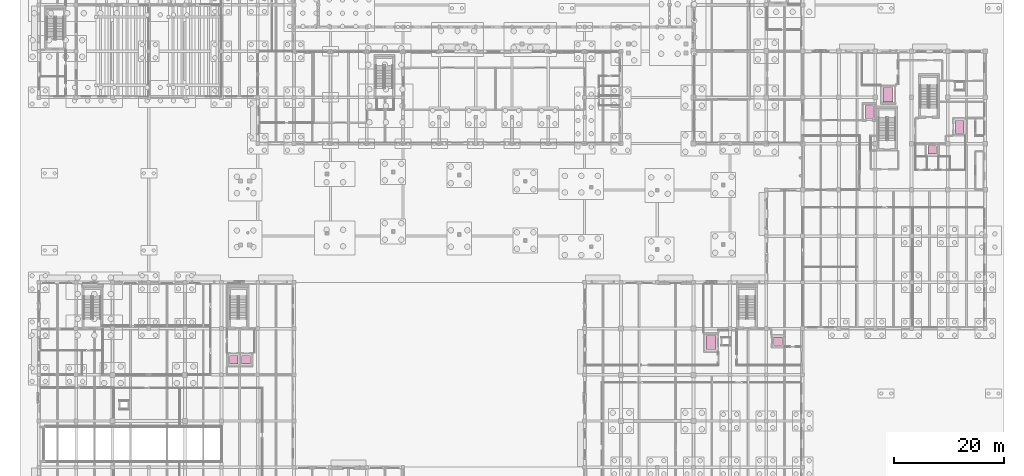
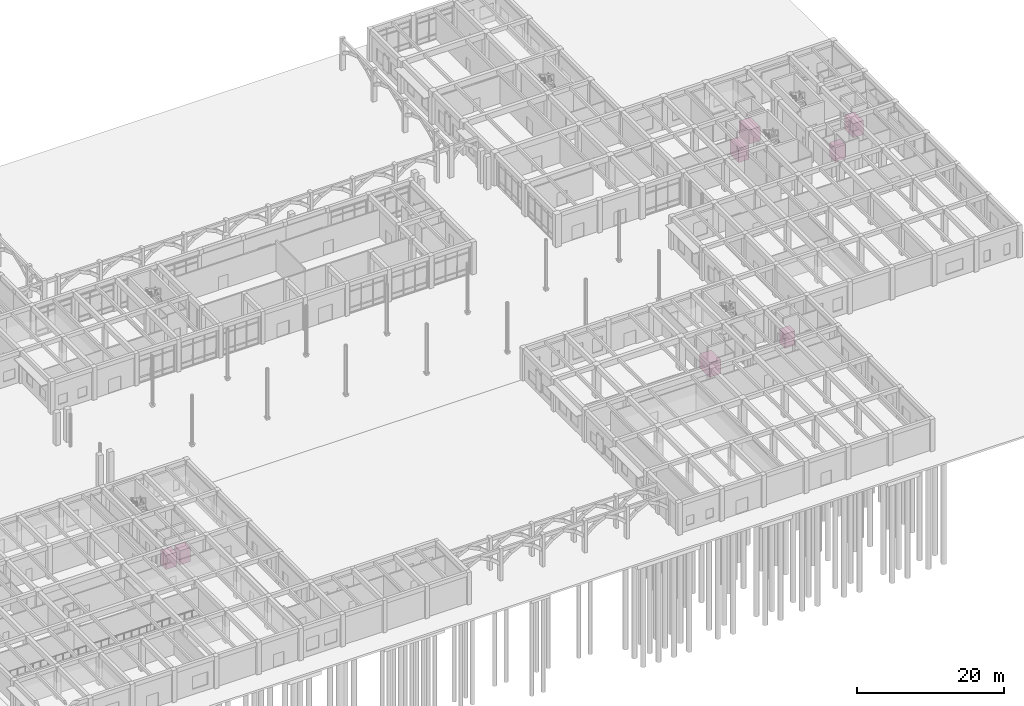
# One storey, part 82 of 82: 8 transport elements.
"""IFC4 building model written with IfcOpenShell, lengths in metres."""

import ifcopenshell
import ifcopenshell.guid

model = None  # the IFC model being written
_history = None  # IfcOwnerHistory: only IFC2X3 demands one
_inside = {}  # id of a spatial element -> (the spatial element, [elements in it])
_under = {}  # id of a project, library or spatial element -> (it, [spatial elements below it])
_declared = {}  # id of a project -> (the project, [libraries it declares])
_typed = {}  # id of a type object -> (the type object, [elements of that type])
_made_of = {}  # id of a material, layer set ... -> (it, [elements and type objects made of it])


def new_model(schema):
    """Start an empty IFC model of exactly this schema.

    Asked for "IFC4X3", IfcOpenShell would pick the latest addendum, in which some entities
    have other attributes; the version numbers below select the first issue.
    IFC2X3 requires an IfcOwnerHistory on every rooted entity: one is made here for all.
    """
    global model, _history
    if schema == "IFC4X3":
        model = ifcopenshell.file(schema_version=(4, 3, 0, 0))
    else:
        model = ifcopenshell.file(schema=schema)
    _inside.clear()
    _under.clear()
    _declared.clear()
    _typed.clear()
    _made_of.clear()
    _history = None
    if model.schema == "IFC2X3":
        org = make("IfcOrganization", Name="unknown")
        user = make(
            "IfcPersonAndOrganization",
            ThePerson=make("IfcPerson", FamilyName="unknown"),
            TheOrganization=org,
        )
        app = make(
            "IfcApplication",
            ApplicationDeveloper=org,
            Version="unknown",
            ApplicationFullName="unknown",
            ApplicationIdentifier="unknown",
        )
        _history = make(
            "IfcOwnerHistory",
            OwningUser=user,
            OwningApplication=app,
            ChangeAction="ADDED",
            CreationDate=0,
        )
    return model


def make(cls, **values):
    """One entity of the class cls with the attributes given. An attribute that is None is left unset."""
    return model.create_entity(
        cls, **{name: value for name, value in values.items() if value is not None}
    )


def rooted(cls, **values):
    """An entity with a GlobalId (a new one), such as an element, a storey or a relation."""
    return make(cls, GlobalId=ifcopenshell.guid.new(), OwnerHistory=_history, **values)


def si_unit(unit_type, name, prefix=None):
    """IfcSIUnit, for example si_unit("LENGTHUNIT", "METRE", prefix="MILLI")."""
    return make("IfcSIUnit", UnitType=unit_type, Prefix=prefix, Name=name)


def assignment(units):
    """IfcUnitAssignment: the units of a project."""
    return None if units is None else make("IfcUnitAssignment", Units=units)


def point(xyz):
    """IfcCartesianPoint."""
    return None if xyz is None else make("IfcCartesianPoint", Coordinates=xyz)


def direction(xyz):
    """IfcDirection."""
    return None if xyz is None else make("IfcDirection", DirectionRatios=xyz)


def frame(location, z_axis=None, x_axis=None):
    """IfcAxis2Placement3D, a coordinate frame: its origin and axes. An axis left out is left unset."""
    return make(
        "IfcAxis2Placement3D",
        Location=point(location),
        Axis=direction(z_axis),
        RefDirection=direction(x_axis),
    )


def frame_2d(location, x_axis=None):
    """IfcAxis2Placement2D, a coordinate frame in the plane: its origin and x axis."""
    return make(
        "IfcAxis2Placement2D", Location=point(location), RefDirection=direction(x_axis)
    )


def origin():
    """The frame at (0, 0, 0) with its axes left unset."""
    return frame((0.0, 0.0, 0.0))


def origin_2d():
    """The frame at (0, 0) in the plane with its x axis left unset."""
    return frame_2d((0.0, 0.0))


def place(relative_to, where):
    """IfcLocalPlacement: puts the frame where relative to a parent placement (None: the world)."""
    return make(
        "IfcLocalPlacement", PlacementRelTo=relative_to, RelativePlacement=where
    )


def context(
    kind, dimensions, precision=None, world=None, true_north=None, identifier=None
):
    """IfcGeometricRepresentationContext, for example the 3D "Model" context."""
    return make(
        "IfcGeometricRepresentationContext",
        ContextIdentifier=identifier,
        ContextType=kind,
        CoordinateSpaceDimension=dimensions,
        Precision=precision,
        WorldCoordinateSystem=world,
        TrueNorth=true_north,
    )


def subcontext(parent, identifier, kind, view, scale=None):
    """IfcGeometricRepresentationSubContext, for example "Body" below "Model"."""
    return make(
        "IfcGeometricRepresentationSubContext",
        ContextIdentifier=identifier,
        ContextType=kind,
        ParentContext=parent,
        TargetScale=scale,
        TargetView=view,
    )


def project(units=None, contexts=None):
    """IfcProject with its units and contexts."""
    return rooted(
        "IfcProject",
        Name="project",
        RepresentationContexts=contexts,
        UnitsInContext=assignment(units),
    )


def spatial(cls, under=None, at=None, **own):
    """A site, building, storey or space (cls), placed at a placement, below another one or the project."""
    s = rooted(cls, ObjectPlacement=at, **own)
    if under is not None:
        _under.setdefault(under.id(), (under, []))[1].append(s)
    return s


def profile(cls, at=None, kind="AREA", **sizes):
    """A parametric profile (cls). Its sizes go by their IFC names, for example OverallWidth=200.0."""
    return make(cls, ProfileType=kind, Position=at, **sizes)


def rectangle(**sizes):
    """IfcRectangleProfileDef."""
    return profile("IfcRectangleProfileDef", **sizes)


def extrude(swept, where, along, depth):
    """IfcExtrudedAreaSolid: the profile swept, set in the frame where, extruded along a direction by depth."""
    return make(
        "IfcExtrudedAreaSolid",
        SweptArea=swept,
        Position=where,
        ExtrudedDirection=direction(along),
        Depth=depth,
    )


def shape(context_of_items, identifier, shape_type, items):
    """IfcShapeRepresentation: the items that make up one representation, for example the "Body"."""
    return make(
        "IfcShapeRepresentation",
        ContextOfItems=context_of_items,
        RepresentationIdentifier=identifier,
        RepresentationType=shape_type,
        Items=items,
    )


def material(Name=None, Category=None):
    """IfcMaterial."""
    return make("IfcMaterial", Name=Name, Category=Category)


def made_of(thing, what):
    """Note that an element or type object is made of a material, layer set ...; save() writes the relation."""
    if what is not None:
        _made_of.setdefault(what.id(), (what, []))[1].append(thing)
    return thing


def type_object(cls, material=None, **own):
    """A type object (cls), such as IfcWallType, which elements share."""
    return made_of(rooted(cls, **own), material)


def element(
    cls,
    number,
    at=None,
    inside=None,
    cuts=None,
    type_object=None,
    material=None,
    context=None,
    identifier="Body",
    shape_type=None,
    held_by="IfcProductDefinitionShape",
    body=None,
    shapes=None,
    **own,
):
    """One element of the class cls, such as IfcWall. Its Tag is "e" and its number.

    at: its placement. inside: the storey or other place that contains it. cuts: it is an
    opening in that element (IfcRelVoidsElement). A single representation is given by context,
    identifier, shape_type and body (its items); several are given by shapes. held_by: the class
    of the entity that holds the representations. save() writes the other relations.
    """
    e = rooted(cls, Tag="e%d" % number, ObjectPlacement=at, **own)
    if body is not None:
        shapes = [shape(context, identifier, shape_type, body)]
    if shapes is not None:
        e.Representation = make(held_by, Representations=shapes)
    if inside is not None:
        _inside.setdefault(inside.id(), (inside, []))[1].append(e)
    if cuts is not None:
        rooted(
            "IfcRelVoidsElement", RelatingBuildingElement=cuts, RelatedOpeningElement=e
        )
    if type_object is not None:
        _typed.setdefault(type_object.id(), (type_object, []))[1].append(e)
    return made_of(e, material)


def aggregate(whole, parts):
    """IfcRelAggregates: a whole, such as a stair, and the parts it consists of."""
    return rooted("IfcRelAggregates", RelatingObject=whole, RelatedObjects=parts)


def save(model, path):
    """Write the relations noted so far, then the file.

    IfcRelAggregates (storeys below a building ...), IfcRelContainedInSpatialStructure (elements
    in a storey), IfcRelDefinesByType, IfcRelAssociatesMaterial and IfcRelDeclares: one each for
    every whole, place, type object, material and project.
    """
    for whole, parts in _under.values():
        aggregate(whole, parts)
    for where, things in _inside.values():
        rooted(
            "IfcRelContainedInSpatialStructure",
            RelatedElements=things,
            RelatingStructure=where,
        )
    for kind, things in _typed.values():
        rooted("IfcRelDefinesByType", RelatedObjects=things, RelatingType=kind)
    for what, things in _made_of.values():
        rooted("IfcRelAssociatesMaterial", RelatedObjects=things, RelatingMaterial=what)
    for by, libraries in _declared.values():
        rooted("IfcRelDeclares", RelatingContext=by, RelatedDefinitions=libraries)
    model.write(path)


model = new_model("IFC4")

# Units and contexts
model_context = context("Model", 3, precision=1e-05, world=origin(), true_north=direction((0.0, 1.0)))
body_context = subcontext(model_context, "Body", "Model", "MODEL_VIEW")
ifc_project = project(units=[si_unit("LENGTHUNIT", "METRE"), si_unit("AREAUNIT", "SQUARE_METRE"), si_unit("VOLUMEUNIT", "CUBIC_METRE"), si_unit("PLANEANGLEUNIT", "RADIAN"), si_unit("MASSUNIT", "GRAM", prefix="KILO")], contexts=[model_context])

# Site, building, storey
site_placement = place(None, origin())
site = spatial("IfcSite", under=ifc_project, at=site_placement, CompositionType="ELEMENT")
building_placement = place(site_placement, origin())
building = spatial("IfcBuilding", under=site, at=building_placement, Name="Kolvaren Faculty of Natural Sciences", CompositionType="ELEMENT")
storey_placement = place(building_placement, origin())
storey = spatial("IfcBuildingStorey", under=building, at=storey_placement, Name="L00", CompositionType="ELEMENT", Elevation=0.0)

# Transport elements
ifc_material = material(Name="Brushed stainless steel lift car and sliding door assembly", Category="steel")
transport_element_type_1 = type_object("IfcTransportElementType", Name="Elevator_LFT-FF", PredefinedType="ELEVATOR", material=ifc_material)
for number, where, z_axis, x_axis, name in (
    (1, (167.300048828125, 70.449951171875, 0.02001953125), (0.0, 0.0, 1.0), (1.0, 0.0, 0.0), "Firefighting and Stretcher Lift FL-1"),
    (2, (150.89990234375, 73.14990234375, 0.02001953125), (0.0, 0.0, 1.0), (1.0, 0.0, 0.0), "Firefighting and Stretcher Lift FL-2"),
):
    element("IfcTransportElement", number, at=place(storey_placement, frame(where, z_axis=z_axis, x_axis=x_axis)), inside=storey, type_object=transport_element_type_1, Name=name, PredefinedType="ELEVATOR", context=body_context, shape_type="SweptSolid", body=[
        extrude(rectangle(XDim=1.60009765625, YDim=2.39990234375, at=origin_2d()), origin(), (0.0, 0.0, 1.0), 2.35009765625),
    ])
transport_element_type_2 = type_object("IfcTransportElementType", Name="Elevator_LFT-GDS", PredefinedType="ELEVATOR", material=ifc_material)
for number, where, z_axis, x_axis, name in (
    (3, (154.35009765625, 76.300048828125, 0.02001953125), (0.0, 0.0, 1.0), (1.0, 0.0, 0.0), "Laboratory Goods Lift GL-2"),
    (4, (122.14990234375, 31.25, 0.02001953125), (0.0, 0.0, 1.0), (1.0, 0.0, 0.0), "Laboratory Goods Lift GL-1"),
):
    element("IfcTransportElement", number, at=place(storey_placement, frame(where, z_axis=z_axis, x_axis=x_axis)), inside=storey, type_object=transport_element_type_2, Name=name, PredefinedType="ELEVATOR", context=body_context, shape_type="SweptSolid", body=[
        extrude(rectangle(XDim=1.800048828125, YDim=2.60009765625, at=origin_2d()), origin(), (0.0, 0.0, 1.0), 2.35009765625),
    ])
transport_element_type_3 = type_object("IfcTransportElementType", Name="Elevator_LFT-PAX", PredefinedType="ELEVATOR", material=ifc_material)
for number, where, z_axis, x_axis, name in (
    (5, (162.35009765625, 66.300048828125, 0.02001953125), (0.0, 0.0, 1.0), (1.0, 0.0, 0.0), "Accessible Passenger Lift PL-1"),
    (6, (134.35009765625, 31.5, 0.02001953125), (0.0, 0.0, 1.0), (1.0, 0.0, 0.0), "Accessible Passenger Lift PL-3"),
    (7, (35.449951171875, 28.14990234375, 0.02001953125), (0.0, 0.0, 1.0), (1.0, 0.0, 0.0), "Accessible Passenger Lift PL-2"),
    (8, (37.64990234375, 28.14990234375, 0.02001953125), (0.0, 0.0, 1.0), (1.0, 0.0, 0.0), "Accessible Passenger Lift PL-4"),
):
    element("IfcTransportElement", number, at=place(storey_placement, frame(where, z_axis=z_axis, x_axis=x_axis)), inside=storey, type_object=transport_element_type_3, Name=name, PredefinedType="ELEVATOR", context=body_context, shape_type="SweptSolid", body=[
        extrude(rectangle(XDim=1.60009765625, YDim=1.5, at=origin_2d()), origin(), (0.0, 0.0, 1.0), 2.35009765625),
    ])

save(model, "model.ifc")
